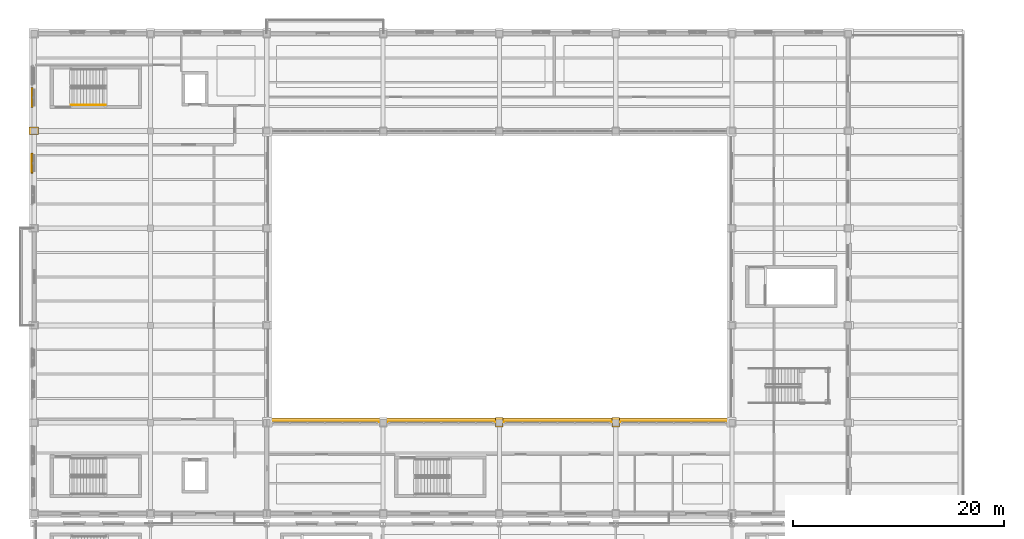
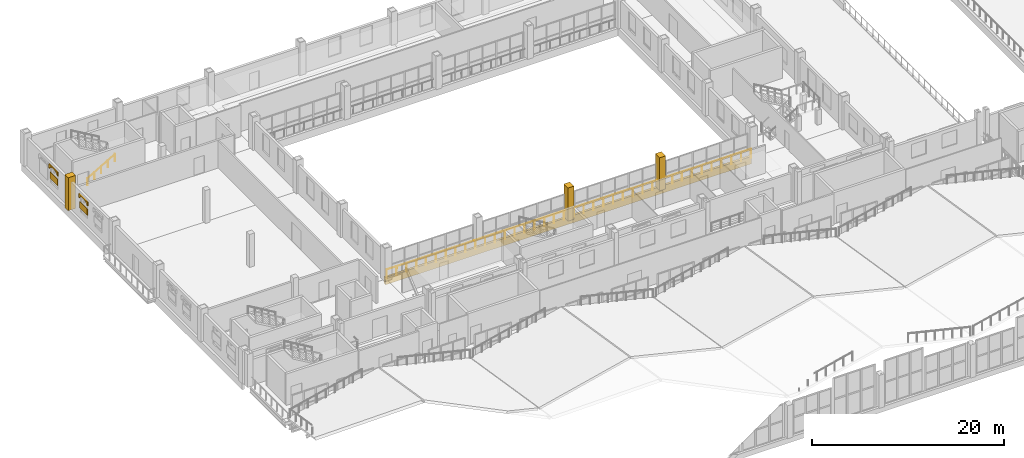
# One storey, part 113 of 120: 6 coverings, 2 railings, 2 shading devices.
"""IFC4 building model written with IfcOpenShell, lengths in metres."""

from ifc_helpers import new_model, si_unit, direction, frame, frame_2d, origin, origin_2d, place, context, subcontext, project, spatial, polyline, rectangle, circle, outline, extrude, material, layer, layer_set, type_object, element, save


model = new_model("IFC4")

# Units and contexts
model_context = context("Model", 3, precision=1e-05, world=origin(), true_north=direction((0.0, 1.0)))
body_context = subcontext(model_context, "Body", "Model", "MODEL_VIEW")
ifc_project = project(units=[si_unit("LENGTHUNIT", "METRE"), si_unit("AREAUNIT", "SQUARE_METRE"), si_unit("VOLUMEUNIT", "CUBIC_METRE"), si_unit("PLANEANGLEUNIT", "RADIAN"), si_unit("MASSUNIT", "GRAM", prefix="KILO")], contexts=[model_context])

# Site, building, storey
site_placement = place(None, origin())
site = spatial("IfcSite", under=ifc_project, at=site_placement, CompositionType="ELEMENT")
building_placement = place(site_placement, origin())
building = spatial("IfcBuilding", under=site, at=building_placement, Name="Caurita Quay Ferry Terminal", CompositionType="ELEMENT")
storey_placement = place(building_placement, frame((0.0, 0.0, 9.89990234375)))
storey = spatial("IfcBuildingStorey", under=building, at=storey_placement, Name="L02", CompositionType="ELEMENT", Elevation=9.89990234375)

# Coverings
ifc_material_1 = material(Name="Coral stone ashlar cladding", Category="masonry")
ifc_layer_1 = layer(ifc_material_1, 0.239990234375, Name="Classical coral-stone entablature and cornice moulding 240 mm")
ifc_layer_set_1 = layer_set([ifc_layer_1], Name="Coral stone ashlar cladding")
covering_type_1 = type_object("IfcCoveringType", Name="COV-ENT-MLD", PredefinedType="MOLDING", material=ifc_layer_set_1)
covering_1_placement = place(storey_placement, frame((22.0, 80.47998046875, -0.849853515625), z_axis=(0.0, 0.0, 1.0), x_axis=(1.0, 0.0, 0.0)))
element("IfcCovering", 1, at=covering_1_placement, inside=storey, type_object=covering_type_1, Name="L02 Classical Entablature Cornice 023", PredefinedType="MOLDING", context=body_context, shape_type="SweptSolid", body=[
    extrude(rectangle(XDim=44.0, YDim=0.280029296875, at=frame_2d((22.0, 0.0))), origin(), (0.0, 0.0, 1.0), 0.929931640625),
])
ifc_material_2 = material(Name="Warm-white lime stucco masonry", Category="masonry")
ifc_layer_2 = layer(ifc_material_2, 0.179931640625, Name="Classical engaged lime-stucco facade pilaster cladding 180 mm")
ifc_layer_set_2 = layer_set([ifc_layer_2], Name="Warm-white lime stucco masonry")
covering_type_2 = type_object("IfcCoveringType", Name="COV-PIL-CLD", PredefinedType="CLADDING", material=ifc_layer_set_2)
covering_2_placement = place(storey_placement, frame((-0.050048828125, 107.800048828125, 0.0), z_axis=(0.0, 0.0, 1.0), x_axis=(1.0, 0.0, 0.0)))
element("IfcCovering", 2, at=covering_2_placement, inside=storey, type_object=covering_type_2, Name="L02 Classical Engaged Pilaster 0288", PredefinedType="CLADDING", context=body_context, shape_type="SweptSolid", body=[
    extrude(rectangle(XDim=0.8798828125, YDim=0.719970703125, at=origin_2d()), origin(), (0.0, 0.0, 1.0), 4.199951171875),
])
for number, where, z_axis, x_axis, name in (
    (3, (44.0, 80.25, 0.0), (0.0, 0.0, 1.0), (1.0, 0.0, 0.0), "L02 Classical Engaged Pilaster 0347"),
    (4, (55.0, 80.25, 0.0), (0.0, 0.0, 1.0), (1.0, 0.0, 0.0), "L02 Classical Engaged Pilaster 0360"),
):
    element("IfcCovering", number, at=place(storey_placement, frame(where, z_axis=z_axis, x_axis=x_axis)), inside=storey, type_object=covering_type_2, Name=name, PredefinedType="CLADDING", context=body_context, shape_type="SweptSolid", body=[
        extrude(rectangle(XDim=0.719970703125, YDim=0.8798828125, at=origin_2d()), origin(), (0.0, 0.0, 1.0), 4.199951171875),
    ])
ifc_layer_3 = layer(ifc_material_1, 0.139892578125, Name="Spanish Colonial semicircular arched window surround 140 mm")
ifc_layer_set_3 = layer_set([ifc_layer_3], Name="Coral stone ashlar cladding")
covering_type_3 = type_object("IfcCoveringType", Name="COV-WHD-MLD", PredefinedType="MOLDING", material=ifc_layer_set_3)
for number, where, z_axis, x_axis, name in (
    (5, (-0.215087890625, 105.679931640625, 2.72998046875), (0.0, 0.0, 1.0), (0.0, -1.0, 0.0), "L02 Arched Window Surround 042"),
    (6, (-0.215087890625, 111.8798828125, 2.72998046875), (0.0, 0.0, 1.0), (0.0, -1.0, 0.0), "L02 Arched Window Surround 045"),
):
    element("IfcCovering", number, at=place(storey_placement, frame(where, z_axis=z_axis, x_axis=x_axis)), inside=storey, type_object=covering_type_3, Name=name, PredefinedType="MOLDING", context=body_context, shape_type="SweptSolid", body=[
        extrude(outline(polyline([(0.0, 0.0), (0.159912109375, 0.0), (0.159912109375, 0.0400390625), (0.19775390625, 0.1513671875), (0.30712890625, 0.251708984375), (0.477294921875, 0.331298828125), (0.69189453125, 0.38232421875), (0.929931640625, 0.39990234375), (1.16796875, 0.38232421875), (1.382568359375, 0.331298828125), (1.552734375, 0.251708984375), (1.662109375, 0.1513671875), (1.699951171875, 0.0400390625), (1.699951171875, 0.0), (1.85986328125, 0.0), (1.85986328125, 0.480224609375), (0.0, 0.480224609375), (0.0, 0.0)])), frame((0.0, 0.06982421875, 0.0), z_axis=(0.0, -1.0, 0.0), x_axis=(1.0, 0.0, 0.0)), (0.0, 0.0, 1.0), 0.139892578125),
    ])

# Railings
ifc_material_3 = material(Name="Bronze architectural metalwork", Category="metal")
railing_type_1 = type_object("IfcRailingType", Name="RL-HND-090", PredefinedType="HANDRAIL", material=ifc_material_3)
railing_1_placement = place(storey_placement, frame((3.449951171875, 110.25, 0.175048828125)))
element("IfcRailing", 7, at=railing_1_placement, inside=storey, type_object=railing_type_1, Name="L02 ST-01 stair handrail 1", PredefinedType="HANDRAIL", context=body_context, shape_type="SweptSolid", body=[
    extrude(circle(Radius=0.02392578125, at=origin_2d()), frame((0.0, 0.0, 0.8759765625), z_axis=(0.863776583165, 0.0, 0.503874998761), x_axis=(0.0, 1.0, 0.0)), (0.0, 0.0, 1.0), 3.820556640625),
    extrude(circle(Radius=0.02099609375, at=origin_2d()), origin(), (0.0, 0.0, 1.0), 0.851806640625),
    extrude(circle(Radius=0.02099609375, at=origin_2d()), frame((0.824951171875, 0.0, 0.481201171875)), (0.0, 0.0, 1.0), 0.851806640625),
    extrude(circle(Radius=0.02099609375, at=origin_2d()), frame((1.64990234375, 0.0, 0.96240234375)), (0.0, 0.0, 1.0), 0.851806640625),
    extrude(circle(Radius=0.02099609375, at=origin_2d()), frame((2.47509765625, 0.0, 1.44384765625)), (0.0, 0.0, 1.0), 0.851806640625),
    extrude(circle(Radius=0.02099609375, at=origin_2d()), frame((3.300048828125, 0.0, 1.925048828125)), (0.0, 0.0, 1.0), 0.851806640625),
])
railing_type_2 = type_object("IfcRailingType", Name="RL-REJA-115", PredefinedType="BALUSTRADE", material=ifc_material_3)
railing_2_placement = place(storey_placement, frame((22.10009765625, 80.25, 0.0)))
element("IfcRailing", 8, at=railing_2_placement, inside=storey, type_object=railing_type_2, Name="L02 Courtyard Cloister Guard (086)", PredefinedType="BALUSTRADE", context=body_context, shape_type="SweptSolid", body=[
    extrude(circle(Radius=0.02392578125, at=origin_2d()), frame((0.0, 0.0, 1.1259765625), z_axis=(1.0, 0.0, 0.0), x_axis=(0.0, 1.0, 0.0)), (0.0, 0.0, 1.0), 43.7998046875),
    extrude(circle(Radius=0.02099609375, at=origin_2d()), origin(), (0.0, 0.0, 1.0), 1.101806640625),
    extrude(circle(Radius=0.02099609375, at=origin_2d()), frame((1.183837890625, 0.0, 0.0)), (0.0, 0.0, 1.0), 1.101806640625),
    extrude(circle(Radius=0.02099609375, at=origin_2d()), frame((2.36767578125, 0.0, 0.0)), (0.0, 0.0, 1.0), 1.101806640625),
    extrude(circle(Radius=0.02099609375, at=origin_2d()), frame((3.55126953125, 0.0, 0.0)), (0.0, 0.0, 1.0), 1.101806640625),
    extrude(circle(Radius=0.02099609375, at=origin_2d()), frame((4.735107421875, 0.0, 0.0)), (0.0, 0.0, 1.0), 1.101806640625),
    extrude(circle(Radius=0.02099609375, at=origin_2d()), frame((5.9189453125, 0.0, 0.0)), (0.0, 0.0, 1.0), 1.101806640625),
    extrude(circle(Radius=0.02099609375, at=origin_2d()), frame((7.102783203125, 0.0, 0.0)), (0.0, 0.0, 1.0), 1.101806640625),
    extrude(circle(Radius=0.02099609375, at=origin_2d()), frame((8.286376953125, 0.0, 0.0)), (0.0, 0.0, 1.0), 1.101806640625),
    extrude(circle(Radius=0.02099609375, at=origin_2d()), frame((9.47021484375, 0.0, 0.0)), (0.0, 0.0, 1.0), 1.101806640625),
    extrude(circle(Radius=0.02099609375, at=origin_2d()), frame((10.654052734375, 0.0, 0.0)), (0.0, 0.0, 1.0), 1.101806640625),
    extrude(circle(Radius=0.02099609375, at=origin_2d()), frame((11.837890625, 0.0, 0.0)), (0.0, 0.0, 1.0), 1.101806640625),
    extrude(circle(Radius=0.02099609375, at=origin_2d()), frame((13.021484375, 0.0, 0.0)), (0.0, 0.0, 1.0), 1.101806640625),
    extrude(circle(Radius=0.02099609375, at=origin_2d()), frame((14.205322265625, 0.0, 0.0)), (0.0, 0.0, 1.0), 1.101806640625),
    extrude(circle(Radius=0.02099609375, at=origin_2d()), frame((15.38916015625, 0.0, 0.0)), (0.0, 0.0, 1.0), 1.101806640625),
    extrude(circle(Radius=0.02099609375, at=origin_2d()), frame((16.572998046875, 0.0, 0.0)), (0.0, 0.0, 1.0), 1.101806640625),
    extrude(circle(Radius=0.02099609375, at=origin_2d()), frame((17.756591796875, 0.0, 0.0)), (0.0, 0.0, 1.0), 1.101806640625),
    extrude(circle(Radius=0.02099609375, at=origin_2d()), frame((18.9404296875, 0.0, 0.0)), (0.0, 0.0, 1.0), 1.101806640625),
    extrude(circle(Radius=0.02099609375, at=origin_2d()), frame((20.124267578125, 0.0, 0.0)), (0.0, 0.0, 1.0), 1.101806640625),
    extrude(circle(Radius=0.02099609375, at=origin_2d()), frame((21.30810546875, 0.0, 0.0)), (0.0, 0.0, 1.0), 1.101806640625),
    extrude(circle(Radius=0.02099609375, at=origin_2d()), frame((22.49169921875, 0.0, 0.0)), (0.0, 0.0, 1.0), 1.101806640625),
    extrude(circle(Radius=0.02099609375, at=origin_2d()), frame((23.675537109375, 0.0, 0.0)), (0.0, 0.0, 1.0), 1.101806640625),
    extrude(circle(Radius=0.02099609375, at=origin_2d()), frame((24.859375, 0.0, 0.0)), (0.0, 0.0, 1.0), 1.101806640625),
    extrude(circle(Radius=0.02099609375, at=origin_2d()), frame((26.043212890625, 0.0, 0.0)), (0.0, 0.0, 1.0), 1.101806640625),
    extrude(circle(Radius=0.02099609375, at=origin_2d()), frame((27.226806640625, 0.0, 0.0)), (0.0, 0.0, 1.0), 1.101806640625),
    extrude(circle(Radius=0.02099609375, at=origin_2d()), frame((28.41064453125, 0.0, 0.0)), (0.0, 0.0, 1.0), 1.101806640625),
    extrude(circle(Radius=0.02099609375, at=origin_2d()), frame((29.594482421875, 0.0, 0.0)), (0.0, 0.0, 1.0), 1.101806640625),
    extrude(circle(Radius=0.02099609375, at=origin_2d()), frame((30.7783203125, 0.0, 0.0)), (0.0, 0.0, 1.0), 1.101806640625),
    extrude(circle(Radius=0.02099609375, at=origin_2d()), frame((31.9619140625, 0.0, 0.0)), (0.0, 0.0, 1.0), 1.101806640625),
    extrude(circle(Radius=0.02099609375, at=origin_2d()), frame((33.145751953125, 0.0, 0.0)), (0.0, 0.0, 1.0), 1.101806640625),
    extrude(circle(Radius=0.02099609375, at=origin_2d()), frame((34.32958984375, 0.0, 0.0)), (0.0, 0.0, 1.0), 1.101806640625),
    extrude(circle(Radius=0.02099609375, at=origin_2d()), frame((35.513427734375, 0.0, 0.0)), (0.0, 0.0, 1.0), 1.101806640625),
    extrude(circle(Radius=0.02099609375, at=origin_2d()), frame((36.697021484375, 0.0, 0.0)), (0.0, 0.0, 1.0), 1.101806640625),
    extrude(circle(Radius=0.02099609375, at=origin_2d()), frame((37.880859375, 0.0, 0.0)), (0.0, 0.0, 1.0), 1.101806640625),
    extrude(circle(Radius=0.02099609375, at=origin_2d()), frame((39.064697265625, 0.0, 0.0)), (0.0, 0.0, 1.0), 1.101806640625),
    extrude(circle(Radius=0.02099609375, at=origin_2d()), frame((40.24853515625, 0.0, 0.0)), (0.0, 0.0, 1.0), 1.101806640625),
    extrude(circle(Radius=0.02099609375, at=origin_2d()), frame((41.43212890625, 0.0, 0.0)), (0.0, 0.0, 1.0), 1.101806640625),
    extrude(circle(Radius=0.02099609375, at=origin_2d()), frame((42.615966796875, 0.0, 0.0)), (0.0, 0.0, 1.0), 1.101806640625),
    extrude(circle(Radius=0.02099609375, at=origin_2d()), frame((43.7998046875, 0.0, 0.0)), (0.0, 0.0, 1.0), 1.101806640625),
])

# Shading devices
shading_device_type_1 = type_object("IfcShadingDeviceType", Name="SHD-JAL-01", PredefinedType="JALOUSIE", material=ifc_material_3)
shading_device_1_placement = place(storey_placement, frame((-0.193115234375, 104.75, 1.445068359375), z_axis=(0.0, 0.0, 1.0), x_axis=(0.0, -1.0, 0.0)))
element("IfcShadingDevice", 9, at=shading_device_1_placement, inside=storey, type_object=shading_device_type_1, Name="L02 Tropical Window Sun-Breaker 047", PredefinedType="JALOUSIE", context=body_context, shape_type="SweptSolid", body=[
    extrude(rectangle(XDim=1.60009765625, YDim=0.080078125, at=origin_2d()), origin(), (0.0, 0.0, 1.0), 0.81005859375),
])
ifc_material_4 = material(Name="Tropical mahogany hardwood", Category="wood")
shading_device_type_2 = type_object("IfcShadingDeviceType", Name="SHD-SHT-01", PredefinedType="SHUTTER", material=ifc_material_4)
shading_device_2_placement = place(storey_placement, frame((-0.18310546875, 110.949951171875, 1.445068359375), z_axis=(0.0, 0.0, 1.0), x_axis=(0.0, -1.0, 0.0)))
element("IfcShadingDevice", 10, at=shading_device_2_placement, inside=storey, type_object=shading_device_type_2, Name="L02 Tropical Window Sun-Breaker 050", PredefinedType="SHUTTER", context=body_context, shape_type="SweptSolid", body=[
    extrude(rectangle(XDim=1.60009765625, YDim=0.06005859375, at=origin_2d()), origin(), (0.0, 0.0, 1.0), 0.81005859375),
])

save(model, "model.ifc")
